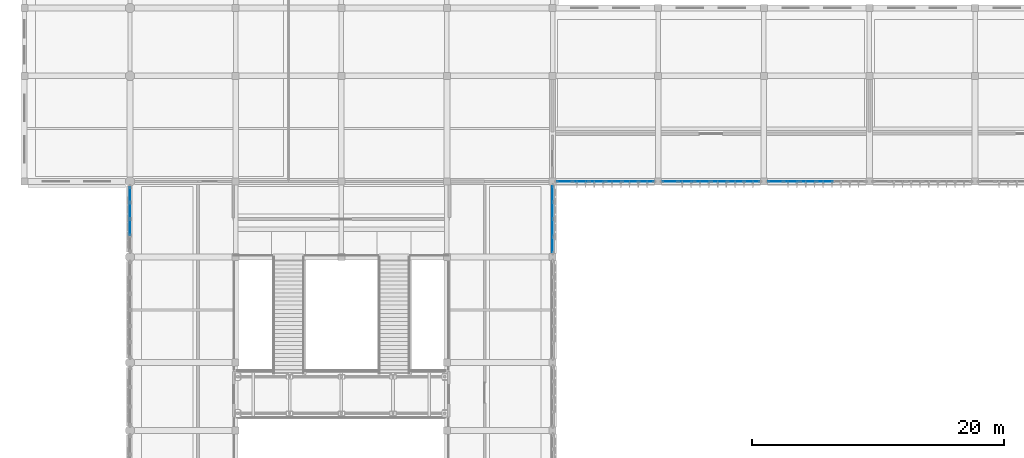
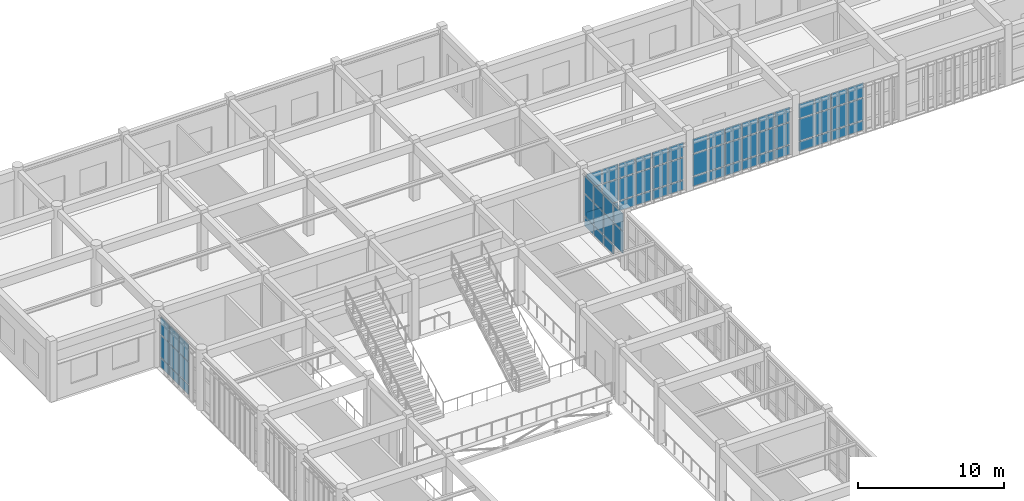
# One storey, part 73 of 106: 68 plates, 5 elements without a shape of their own.
"""IFC4 building model written with IfcOpenShell, lengths in metres."""

from ifc_helpers import new_model, si_unit, direction, frame, origin, origin_2d, place, context, subcontext, project, spatial, rectangle, extrude, material, layer, layer_set, type_object, element, aggregate, save


model = new_model("IFC4")

# Units and contexts
model_context = context("Model", 3, precision=1e-05, world=origin(), true_north=direction((0.0, 1.0)))
body_context = subcontext(model_context, "Body", "Model", "MODEL_VIEW")
ifc_project = project(units=[si_unit("LENGTHUNIT", "METRE"), si_unit("AREAUNIT", "SQUARE_METRE"), si_unit("VOLUMEUNIT", "CUBIC_METRE"), si_unit("PLANEANGLEUNIT", "RADIAN"), si_unit("MASSUNIT", "GRAM", prefix="KILO")], contexts=[model_context])

# Site, building, storey
site_placement = place(None, origin())
site = spatial("IfcSite", under=ifc_project, at=site_placement, CompositionType="ELEMENT")
building_placement = place(site_placement, origin())
building = spatial("IfcBuilding", under=site, at=building_placement, Name="Krzemoval Escarpment Law Courts", CompositionType="ELEMENT")
storey_placement = place(building_placement, frame((0.0, 0.0, 5.10009765625)))
storey = spatial("IfcBuildingStorey", under=building, at=storey_placement, Name="L01", CompositionType="ELEMENT", Elevation=5.10009765625)

# Curtain wall, plates
ifc_material_1 = material(Name="Aluminium 6063-T6", Category="aluminium")
ifc_layer_1 = layer(ifc_material_1, 0.280029296875)
ifc_layer_set_1 = layer_set([ifc_layer_1], Name="Aluminium 6063-T6")
curtain_wall_type = type_object("IfcCurtainWallType", Name="CW-HALL-5100", PredefinedType="USERDEFINED", material=ifc_layer_set_1)
curtain_wall_1_placement = place(storey_placement, origin())
curtain_wall_1 = element("IfcCurtainWall", 1, at=curtain_wall_1_placement, inside=storey, type_object=curtain_wall_type, Name="Unitised Curtain Wall FCW-L01-030", ObjectType="UNITISED_CURTAIN_WALL", PredefinedType="USERDEFINED")
ifc_material_2 = material(Name="Triple Glazing IGU", Category="glass")
ifc_layer_2 = layer(ifc_material_2, 0.053955078125)
ifc_layer_set_2 = layer_set([ifc_layer_2], Name="Triple Glazing IGU")
plate_type = type_object("IfcPlateType", Name="CWP-GLZ-54", PredefinedType="CURTAIN_PANEL", material=ifc_layer_set_2)
plate_1_placement = place(storey_placement, frame((8.39990234375, 95.94384765625, 0.0849609375), z_axis=(0.0, 0.0, 1.0), x_axis=(0.0, 1.0, 0.0)))
plate_1 = element("IfcPlate", 2, at=plate_1_placement, type_object=plate_type, Name="FCW-L01-030 panel 2.1", PredefinedType="CURTAIN_PANEL", context=body_context, shape_type="SweptSolid", body=[
    extrude(rectangle(XDim=1.2275390625, YDim=0.053955078125, at=origin_2d()), origin(), (0.0, 0.0, 1.0), 0.7724609375),
])
plate_2_placement = place(storey_placement, frame((8.39990234375, 95.94384765625, 0.9423828125), z_axis=(0.0, 0.0, 1.0), x_axis=(0.0, 1.0, 0.0)))
plate_2 = element("IfcPlate", 3, at=plate_2_placement, type_object=plate_type, Name="FCW-L01-030 panel 2.2", PredefinedType="CURTAIN_PANEL", context=body_context, shape_type="SweptSolid", body=[
    extrude(rectangle(XDim=1.2275390625, YDim=0.053955078125, at=origin_2d()), origin(), (0.0, 0.0, 1.0), 1.81494140625),
])
plate_3_placement = place(storey_placement, frame((8.39990234375, 95.94384765625, 2.842529296875), z_axis=(0.0, 0.0, 1.0), x_axis=(0.0, 1.0, 0.0)))
plate_3 = element("IfcPlate", 4, at=plate_3_placement, type_object=plate_type, Name="FCW-L01-030 panel 2.3", PredefinedType="CURTAIN_PANEL", context=body_context, shape_type="SweptSolid", body=[
    extrude(rectangle(XDim=1.2275390625, YDim=0.053955078125, at=origin_2d()), origin(), (0.0, 0.0, 1.0), 1.4423828125),
])
plate_4_placement = place(storey_placement, frame((8.39990234375, 97.25634765625, 0.0849609375), z_axis=(0.0, 0.0, 1.0), x_axis=(0.0, 1.0, 0.0)))
plate_4 = element("IfcPlate", 5, at=plate_4_placement, type_object=plate_type, Name="FCW-L01-030 panel 3.1", PredefinedType="CURTAIN_PANEL", context=body_context, shape_type="SweptSolid", body=[
    extrude(rectangle(XDim=1.2275390625, YDim=0.053955078125, at=origin_2d()), origin(), (0.0, 0.0, 1.0), 0.7724609375),
])
plate_5_placement = place(storey_placement, frame((8.39990234375, 97.25634765625, 0.9423828125), z_axis=(0.0, 0.0, 1.0), x_axis=(0.0, 1.0, 0.0)))
plate_5 = element("IfcPlate", 6, at=plate_5_placement, type_object=plate_type, Name="FCW-L01-030 panel 3.2", PredefinedType="CURTAIN_PANEL", context=body_context, shape_type="SweptSolid", body=[
    extrude(rectangle(XDim=1.2275390625, YDim=0.053955078125, at=origin_2d()), origin(), (0.0, 0.0, 1.0), 1.81494140625),
])
plate_6_placement = place(storey_placement, frame((8.39990234375, 97.25634765625, 2.842529296875), z_axis=(0.0, 0.0, 1.0), x_axis=(0.0, 1.0, 0.0)))
plate_6 = element("IfcPlate", 7, at=plate_6_placement, type_object=plate_type, Name="FCW-L01-030 panel 3.3", PredefinedType="CURTAIN_PANEL", context=body_context, shape_type="SweptSolid", body=[
    extrude(rectangle(XDim=1.2275390625, YDim=0.053955078125, at=origin_2d()), origin(), (0.0, 0.0, 1.0), 1.4423828125),
])
plate_7_placement = place(storey_placement, frame((8.39990234375, 98.547607421875, 0.0849609375), z_axis=(0.0, 0.0, 1.0), x_axis=(0.0, 1.0, 0.0)))
plate_7 = element("IfcPlate", 8, at=plate_7_placement, type_object=plate_type, Name="FCW-L01-030 panel 4.1", PredefinedType="CURTAIN_PANEL", context=body_context, shape_type="SweptSolid", body=[
    extrude(rectangle(XDim=1.18505859375, YDim=0.053955078125, at=origin_2d()), origin(), (0.0, 0.0, 1.0), 0.7724609375),
])
plate_8_placement = place(storey_placement, frame((8.39990234375, 98.547607421875, 0.9423828125), z_axis=(0.0, 0.0, 1.0), x_axis=(0.0, 1.0, 0.0)))
plate_8 = element("IfcPlate", 9, at=plate_8_placement, type_object=plate_type, Name="FCW-L01-030 panel 4.2", PredefinedType="CURTAIN_PANEL", context=body_context, shape_type="SweptSolid", body=[
    extrude(rectangle(XDim=1.18505859375, YDim=0.053955078125, at=origin_2d()), origin(), (0.0, 0.0, 1.0), 1.81494140625),
])
plate_9_placement = place(storey_placement, frame((8.39990234375, 98.547607421875, 2.842529296875), z_axis=(0.0, 0.0, 1.0), x_axis=(0.0, 1.0, 0.0)))
plate_9 = element("IfcPlate", 10, at=plate_9_placement, type_object=plate_type, Name="FCW-L01-030 panel 4.3", PredefinedType="CURTAIN_PANEL", context=body_context, shape_type="SweptSolid", body=[
    extrude(rectangle(XDim=1.18505859375, YDim=0.053955078125, at=origin_2d()), origin(), (0.0, 0.0, 1.0), 1.4423828125),
])
aggregate(curtain_wall_1, [plate_1, plate_2, plate_3, plate_4, plate_5, plate_6, plate_7, plate_8, plate_9])

curtain_wall_2_placement = place(storey_placement, origin())
curtain_wall_2 = element("IfcCurtainWall", 11, at=curtain_wall_2_placement, inside=storey, type_object=curtain_wall_type, Name="Unitised Curtain Wall FCW-L01-053", ObjectType="UNITISED_CURTAIN_WALL", PredefinedType="USERDEFINED")
plate_10_placement = place(storey_placement, frame((63.654052734375, 99.60009765625, 0.0849609375), z_axis=(0.0, 0.0, 1.0), x_axis=(-1.0, 0.0, 0.0)))
plate_10 = element("IfcPlate", 12, at=plate_10_placement, type_object=plate_type, Name="FCW-L01-053 panel 3.1", PredefinedType="CURTAIN_PANEL", context=body_context, shape_type="SweptSolid", body=[
    extrude(rectangle(XDim=1.223388671875, YDim=0.053955078125, at=origin_2d()), origin(), (0.0, 0.0, 1.0), 0.7724609375),
])
plate_11_placement = place(storey_placement, frame((63.654052734375, 99.60009765625, 0.9423828125), z_axis=(0.0, 0.0, 1.0), x_axis=(-1.0, 0.0, 0.0)))
plate_11 = element("IfcPlate", 13, at=plate_11_placement, type_object=plate_type, Name="FCW-L01-053 panel 3.2", PredefinedType="CURTAIN_PANEL", context=body_context, shape_type="SweptSolid", body=[
    extrude(rectangle(XDim=1.223388671875, YDim=0.053955078125, at=origin_2d()), origin(), (0.0, 0.0, 1.0), 1.81494140625),
])
plate_12_placement = place(storey_placement, frame((63.654052734375, 99.60009765625, 2.842529296875), z_axis=(0.0, 0.0, 1.0), x_axis=(-1.0, 0.0, 0.0)))
plate_12 = element("IfcPlate", 14, at=plate_12_placement, type_object=plate_type, Name="FCW-L01-053 panel 3.3", PredefinedType="CURTAIN_PANEL", context=body_context, shape_type="SweptSolid", body=[
    extrude(rectangle(XDim=1.223388671875, YDim=0.053955078125, at=origin_2d()), origin(), (0.0, 0.0, 1.0), 1.1923828125),
])
plate_13_placement = place(storey_placement, frame((62.345947265625, 99.60009765625, 0.0849609375), z_axis=(0.0, 0.0, 1.0), x_axis=(-1.0, 0.0, 0.0)))
plate_13 = element("IfcPlate", 15, at=plate_13_placement, type_object=plate_type, Name="FCW-L01-053 panel 4.1", PredefinedType="CURTAIN_PANEL", context=body_context, shape_type="SweptSolid", body=[
    extrude(rectangle(XDim=1.223388671875, YDim=0.053955078125, at=origin_2d()), origin(), (0.0, 0.0, 1.0), 0.7724609375),
])
plate_14_placement = place(storey_placement, frame((62.345947265625, 99.60009765625, 0.9423828125), z_axis=(0.0, 0.0, 1.0), x_axis=(-1.0, 0.0, 0.0)))
plate_14 = element("IfcPlate", 16, at=plate_14_placement, type_object=plate_type, Name="FCW-L01-053 panel 4.2", PredefinedType="CURTAIN_PANEL", context=body_context, shape_type="SweptSolid", body=[
    extrude(rectangle(XDim=1.223388671875, YDim=0.053955078125, at=origin_2d()), origin(), (0.0, 0.0, 1.0), 1.81494140625),
])
plate_15_placement = place(storey_placement, frame((62.345947265625, 99.60009765625, 2.842529296875), z_axis=(0.0, 0.0, 1.0), x_axis=(-1.0, 0.0, 0.0)))
plate_15 = element("IfcPlate", 17, at=plate_15_placement, type_object=plate_type, Name="FCW-L01-053 panel 4.3", PredefinedType="CURTAIN_PANEL", context=body_context, shape_type="SweptSolid", body=[
    extrude(rectangle(XDim=1.223388671875, YDim=0.053955078125, at=origin_2d()), origin(), (0.0, 0.0, 1.0), 1.1923828125),
])
plate_16_placement = place(storey_placement, frame((61.03759765625, 99.60009765625, 0.0849609375), z_axis=(0.0, 0.0, 1.0), x_axis=(-1.0, 0.0, 0.0)))
plate_16 = element("IfcPlate", 18, at=plate_16_placement, type_object=plate_type, Name="FCW-L01-053 panel 5.1", PredefinedType="CURTAIN_PANEL", context=body_context, shape_type="SweptSolid", body=[
    extrude(rectangle(XDim=1.223388671875, YDim=0.053955078125, at=origin_2d()), origin(), (0.0, 0.0, 1.0), 0.7724609375),
])
plate_17_placement = place(storey_placement, frame((61.03759765625, 99.60009765625, 0.9423828125), z_axis=(0.0, 0.0, 1.0), x_axis=(-1.0, 0.0, 0.0)))
plate_17 = element("IfcPlate", 19, at=plate_17_placement, type_object=plate_type, Name="FCW-L01-053 panel 5.2", PredefinedType="CURTAIN_PANEL", context=body_context, shape_type="SweptSolid", body=[
    extrude(rectangle(XDim=1.223388671875, YDim=0.053955078125, at=origin_2d()), origin(), (0.0, 0.0, 1.0), 1.81494140625),
])
plate_18_placement = place(storey_placement, frame((61.03759765625, 99.60009765625, 2.842529296875), z_axis=(0.0, 0.0, 1.0), x_axis=(-1.0, 0.0, 0.0)))
plate_18 = element("IfcPlate", 20, at=plate_18_placement, type_object=plate_type, Name="FCW-L01-053 panel 5.3", PredefinedType="CURTAIN_PANEL", context=body_context, shape_type="SweptSolid", body=[
    extrude(rectangle(XDim=1.223388671875, YDim=0.053955078125, at=origin_2d()), origin(), (0.0, 0.0, 1.0), 1.1923828125),
])
plate_19_placement = place(storey_placement, frame((59.75048828125, 99.60009765625, 0.0849609375), z_axis=(0.0, 0.0, 1.0), x_axis=(-1.0, 0.0, 0.0)))
plate_19 = element("IfcPlate", 21, at=plate_19_placement, type_object=plate_type, Name="FCW-L01-053 panel 6.1", PredefinedType="CURTAIN_PANEL", context=body_context, shape_type="SweptSolid", body=[
    extrude(rectangle(XDim=1.180908203125, YDim=0.053955078125, at=origin_2d()), origin(), (0.0, 0.0, 1.0), 0.7724609375),
])
plate_20_placement = place(storey_placement, frame((59.75048828125, 99.60009765625, 0.9423828125), z_axis=(0.0, 0.0, 1.0), x_axis=(-1.0, 0.0, 0.0)))
plate_20 = element("IfcPlate", 22, at=plate_20_placement, type_object=plate_type, Name="FCW-L01-053 panel 6.2", PredefinedType="CURTAIN_PANEL", context=body_context, shape_type="SweptSolid", body=[
    extrude(rectangle(XDim=1.180908203125, YDim=0.053955078125, at=origin_2d()), origin(), (0.0, 0.0, 1.0), 1.81494140625),
])
plate_21_placement = place(storey_placement, frame((59.75048828125, 99.60009765625, 2.842529296875), z_axis=(0.0, 0.0, 1.0), x_axis=(-1.0, 0.0, 0.0)))
plate_21 = element("IfcPlate", 23, at=plate_21_placement, type_object=plate_type, Name="FCW-L01-053 panel 6.3", PredefinedType="CURTAIN_PANEL", context=body_context, shape_type="SweptSolid", body=[
    extrude(rectangle(XDim=1.180908203125, YDim=0.053955078125, at=origin_2d()), origin(), (0.0, 0.0, 1.0), 1.1923828125),
])
aggregate(curtain_wall_2, [plate_10, plate_11, plate_12, plate_13, plate_14, plate_15, plate_16, plate_17, plate_18, plate_19, plate_20, plate_21])

curtain_wall_3_placement = place(storey_placement, origin())
curtain_wall_3 = element("IfcCurtainWall", 24, at=curtain_wall_3_placement, inside=storey, type_object=curtain_wall_type, Name="Unitised Curtain Wall FCW-L01-054", ObjectType="UNITISED_CURTAIN_WALL", PredefinedType="USERDEFINED")
plate_22_placement = place(storey_placement, frame((57.849609375, 99.60009765625, 0.0849609375), z_axis=(0.0, 0.0, 1.0), x_axis=(-1.0, 0.0, 0.0)))
plate_22 = element("IfcPlate", 25, at=plate_22_placement, type_object=plate_type, Name="FCW-L01-054 panel 1.1", PredefinedType="CURTAIN_PANEL", context=body_context, shape_type="SweptSolid", body=[
    extrude(rectangle(XDim=1.180908203125, YDim=0.053955078125, at=origin_2d()), origin(), (0.0, 0.0, 1.0), 0.7724609375),
])
plate_23_placement = place(storey_placement, frame((57.849609375, 99.60009765625, 0.9423828125), z_axis=(0.0, 0.0, 1.0), x_axis=(-1.0, 0.0, 0.0)))
plate_23 = element("IfcPlate", 26, at=plate_23_placement, type_object=plate_type, Name="FCW-L01-054 panel 1.2", PredefinedType="CURTAIN_PANEL", context=body_context, shape_type="SweptSolid", body=[
    extrude(rectangle(XDim=1.180908203125, YDim=0.053955078125, at=origin_2d()), origin(), (0.0, 0.0, 1.0), 1.81494140625),
])
plate_24_placement = place(storey_placement, frame((57.849609375, 99.60009765625, 2.842529296875), z_axis=(0.0, 0.0, 1.0), x_axis=(-1.0, 0.0, 0.0)))
plate_24 = element("IfcPlate", 27, at=plate_24_placement, type_object=plate_type, Name="FCW-L01-054 panel 1.3", PredefinedType="CURTAIN_PANEL", context=body_context, shape_type="SweptSolid", body=[
    extrude(rectangle(XDim=1.180908203125, YDim=0.053955078125, at=origin_2d()), origin(), (0.0, 0.0, 1.0), 1.1923828125),
])
plate_25_placement = place(storey_placement, frame((56.5625, 99.60009765625, 0.0849609375), z_axis=(0.0, 0.0, 1.0), x_axis=(-1.0, 0.0, 0.0)))
plate_25 = element("IfcPlate", 28, at=plate_25_placement, type_object=plate_type, Name="FCW-L01-054 panel 2.1", PredefinedType="CURTAIN_PANEL", context=body_context, shape_type="SweptSolid", body=[
    extrude(rectangle(XDim=1.223388671875, YDim=0.053955078125, at=origin_2d()), origin(), (0.0, 0.0, 1.0), 0.7724609375),
])
plate_26_placement = place(storey_placement, frame((56.5625, 99.60009765625, 0.9423828125), z_axis=(0.0, 0.0, 1.0), x_axis=(-1.0, 0.0, 0.0)))
plate_26 = element("IfcPlate", 29, at=plate_26_placement, type_object=plate_type, Name="FCW-L01-054 panel 2.2", PredefinedType="CURTAIN_PANEL", context=body_context, shape_type="SweptSolid", body=[
    extrude(rectangle(XDim=1.223388671875, YDim=0.053955078125, at=origin_2d()), origin(), (0.0, 0.0, 1.0), 1.81494140625),
])
plate_27_placement = place(storey_placement, frame((56.5625, 99.60009765625, 2.842529296875), z_axis=(0.0, 0.0, 1.0), x_axis=(-1.0, 0.0, 0.0)))
plate_27 = element("IfcPlate", 30, at=plate_27_placement, type_object=plate_type, Name="FCW-L01-054 panel 2.3", PredefinedType="CURTAIN_PANEL", context=body_context, shape_type="SweptSolid", body=[
    extrude(rectangle(XDim=1.223388671875, YDim=0.053955078125, at=origin_2d()), origin(), (0.0, 0.0, 1.0), 1.1923828125),
])
plate_28_placement = place(storey_placement, frame((55.254150390625, 99.60009765625, 0.0849609375), z_axis=(0.0, 0.0, 1.0), x_axis=(-1.0, 0.0, 0.0)))
plate_28 = element("IfcPlate", 31, at=plate_28_placement, type_object=plate_type, Name="FCW-L01-054 panel 3.1", PredefinedType="CURTAIN_PANEL", context=body_context, shape_type="SweptSolid", body=[
    extrude(rectangle(XDim=1.223388671875, YDim=0.053955078125, at=origin_2d()), origin(), (0.0, 0.0, 1.0), 0.7724609375),
])
plate_29_placement = place(storey_placement, frame((55.254150390625, 99.60009765625, 0.9423828125), z_axis=(0.0, 0.0, 1.0), x_axis=(-1.0, 0.0, 0.0)))
plate_29 = element("IfcPlate", 32, at=plate_29_placement, type_object=plate_type, Name="FCW-L01-054 panel 3.2", PredefinedType="CURTAIN_PANEL", context=body_context, shape_type="SweptSolid", body=[
    extrude(rectangle(XDim=1.223388671875, YDim=0.053955078125, at=origin_2d()), origin(), (0.0, 0.0, 1.0), 1.81494140625),
])
plate_30_placement = place(storey_placement, frame((55.254150390625, 99.60009765625, 2.842529296875), z_axis=(0.0, 0.0, 1.0), x_axis=(-1.0, 0.0, 0.0)))
plate_30 = element("IfcPlate", 33, at=plate_30_placement, type_object=plate_type, Name="FCW-L01-054 panel 3.3", PredefinedType="CURTAIN_PANEL", context=body_context, shape_type="SweptSolid", body=[
    extrude(rectangle(XDim=1.223388671875, YDim=0.053955078125, at=origin_2d()), origin(), (0.0, 0.0, 1.0), 1.1923828125),
])
plate_31_placement = place(storey_placement, frame((53.94580078125, 99.60009765625, 0.0849609375), z_axis=(0.0, 0.0, 1.0), x_axis=(-1.0, 0.0, 0.0)))
plate_31 = element("IfcPlate", 34, at=plate_31_placement, type_object=plate_type, Name="FCW-L01-054 panel 4.1", PredefinedType="CURTAIN_PANEL", context=body_context, shape_type="SweptSolid", body=[
    extrude(rectangle(XDim=1.223388671875, YDim=0.053955078125, at=origin_2d()), origin(), (0.0, 0.0, 1.0), 0.7724609375),
])
plate_32_placement = place(storey_placement, frame((53.94580078125, 99.60009765625, 0.9423828125), z_axis=(0.0, 0.0, 1.0), x_axis=(-1.0, 0.0, 0.0)))
plate_32 = element("IfcPlate", 35, at=plate_32_placement, type_object=plate_type, Name="FCW-L01-054 panel 4.2", PredefinedType="CURTAIN_PANEL", context=body_context, shape_type="SweptSolid", body=[
    extrude(rectangle(XDim=1.223388671875, YDim=0.053955078125, at=origin_2d()), origin(), (0.0, 0.0, 1.0), 1.81494140625),
])
plate_33_placement = place(storey_placement, frame((53.94580078125, 99.60009765625, 2.842529296875), z_axis=(0.0, 0.0, 1.0), x_axis=(-1.0, 0.0, 0.0)))
plate_33 = element("IfcPlate", 36, at=plate_33_placement, type_object=plate_type, Name="FCW-L01-054 panel 4.3", PredefinedType="CURTAIN_PANEL", context=body_context, shape_type="SweptSolid", body=[
    extrude(rectangle(XDim=1.223388671875, YDim=0.053955078125, at=origin_2d()), origin(), (0.0, 0.0, 1.0), 1.1923828125),
])
plate_34_placement = place(storey_placement, frame((52.637451171875, 99.60009765625, 0.0849609375), z_axis=(0.0, 0.0, 1.0), x_axis=(-1.0, 0.0, 0.0)))
plate_34 = element("IfcPlate", 37, at=plate_34_placement, type_object=plate_type, Name="FCW-L01-054 panel 5.1", PredefinedType="CURTAIN_PANEL", context=body_context, shape_type="SweptSolid", body=[
    extrude(rectangle(XDim=1.223388671875, YDim=0.053955078125, at=origin_2d()), origin(), (0.0, 0.0, 1.0), 0.7724609375),
])
plate_35_placement = place(storey_placement, frame((52.637451171875, 99.60009765625, 0.9423828125), z_axis=(0.0, 0.0, 1.0), x_axis=(-1.0, 0.0, 0.0)))
plate_35 = element("IfcPlate", 38, at=plate_35_placement, type_object=plate_type, Name="FCW-L01-054 panel 5.2", PredefinedType="CURTAIN_PANEL", context=body_context, shape_type="SweptSolid", body=[
    extrude(rectangle(XDim=1.223388671875, YDim=0.053955078125, at=origin_2d()), origin(), (0.0, 0.0, 1.0), 1.81494140625),
])
plate_36_placement = place(storey_placement, frame((52.637451171875, 99.60009765625, 2.842529296875), z_axis=(0.0, 0.0, 1.0), x_axis=(-1.0, 0.0, 0.0)))
plate_36 = element("IfcPlate", 39, at=plate_36_placement, type_object=plate_type, Name="FCW-L01-054 panel 5.3", PredefinedType="CURTAIN_PANEL", context=body_context, shape_type="SweptSolid", body=[
    extrude(rectangle(XDim=1.223388671875, YDim=0.053955078125, at=origin_2d()), origin(), (0.0, 0.0, 1.0), 1.1923828125),
])
plate_37_placement = place(storey_placement, frame((51.350341796875, 99.60009765625, 0.0849609375), z_axis=(0.0, 0.0, 1.0), x_axis=(-1.0, 0.0, 0.0)))
plate_37 = element("IfcPlate", 40, at=plate_37_placement, type_object=plate_type, Name="FCW-L01-054 panel 6.1", PredefinedType="CURTAIN_PANEL", context=body_context, shape_type="SweptSolid", body=[
    extrude(rectangle(XDim=1.180908203125, YDim=0.053955078125, at=origin_2d()), origin(), (0.0, 0.0, 1.0), 0.7724609375),
])
plate_38_placement = place(storey_placement, frame((51.350341796875, 99.60009765625, 0.9423828125), z_axis=(0.0, 0.0, 1.0), x_axis=(-1.0, 0.0, 0.0)))
plate_38 = element("IfcPlate", 41, at=plate_38_placement, type_object=plate_type, Name="FCW-L01-054 panel 6.2", PredefinedType="CURTAIN_PANEL", context=body_context, shape_type="SweptSolid", body=[
    extrude(rectangle(XDim=1.180908203125, YDim=0.053955078125, at=origin_2d()), origin(), (0.0, 0.0, 1.0), 1.81494140625),
])
plate_39_placement = place(storey_placement, frame((51.350341796875, 99.60009765625, 2.842529296875), z_axis=(0.0, 0.0, 1.0), x_axis=(-1.0, 0.0, 0.0)))
plate_39 = element("IfcPlate", 42, at=plate_39_placement, type_object=plate_type, Name="FCW-L01-054 panel 6.3", PredefinedType="CURTAIN_PANEL", context=body_context, shape_type="SweptSolid", body=[
    extrude(rectangle(XDim=1.180908203125, YDim=0.053955078125, at=origin_2d()), origin(), (0.0, 0.0, 1.0), 1.1923828125),
])
aggregate(curtain_wall_3, [plate_22, plate_23, plate_24, plate_25, plate_26, plate_27, plate_28, plate_29, plate_30, plate_31, plate_32, plate_33, plate_34, plate_35, plate_36, plate_37, plate_38, plate_39])

curtain_wall_4_placement = place(storey_placement, origin())
curtain_wall_4 = element("IfcCurtainWall", 43, at=curtain_wall_4_placement, inside=storey, type_object=curtain_wall_type, Name="Unitised Curtain Wall FCW-L01-055", ObjectType="UNITISED_CURTAIN_WALL", PredefinedType="USERDEFINED")
plate_40_placement = place(storey_placement, frame((49.449462890625, 99.60009765625, 0.0849609375), z_axis=(0.0, 0.0, 1.0), x_axis=(-1.0, 0.0, 0.0)))
plate_40 = element("IfcPlate", 44, at=plate_40_placement, type_object=plate_type, Name="FCW-L01-055 panel 1.1", PredefinedType="CURTAIN_PANEL", context=body_context, shape_type="SweptSolid", body=[
    extrude(rectangle(XDim=1.180908203125, YDim=0.053955078125, at=origin_2d()), origin(), (0.0, 0.0, 1.0), 0.7724609375),
])
plate_41_placement = place(storey_placement, frame((49.449462890625, 99.60009765625, 0.9423828125), z_axis=(0.0, 0.0, 1.0), x_axis=(-1.0, 0.0, 0.0)))
plate_41 = element("IfcPlate", 45, at=plate_41_placement, type_object=plate_type, Name="FCW-L01-055 panel 1.2", PredefinedType="CURTAIN_PANEL", context=body_context, shape_type="SweptSolid", body=[
    extrude(rectangle(XDim=1.180908203125, YDim=0.053955078125, at=origin_2d()), origin(), (0.0, 0.0, 1.0), 1.81494140625),
])
plate_42_placement = place(storey_placement, frame((49.449462890625, 99.60009765625, 2.842529296875), z_axis=(0.0, 0.0, 1.0), x_axis=(-1.0, 0.0, 0.0)))
plate_42 = element("IfcPlate", 46, at=plate_42_placement, type_object=plate_type, Name="FCW-L01-055 panel 1.3", PredefinedType="CURTAIN_PANEL", context=body_context, shape_type="SweptSolid", body=[
    extrude(rectangle(XDim=1.180908203125, YDim=0.053955078125, at=origin_2d()), origin(), (0.0, 0.0, 1.0), 1.1923828125),
])
plate_43_placement = place(storey_placement, frame((48.16259765625, 99.60009765625, 0.0849609375), z_axis=(0.0, 0.0, 1.0), x_axis=(-1.0, 0.0, 0.0)))
plate_43 = element("IfcPlate", 47, at=plate_43_placement, type_object=plate_type, Name="FCW-L01-055 panel 2.1", PredefinedType="CURTAIN_PANEL", context=body_context, shape_type="SweptSolid", body=[
    extrude(rectangle(XDim=1.223388671875, YDim=0.053955078125, at=origin_2d()), origin(), (0.0, 0.0, 1.0), 0.7724609375),
])
plate_44_placement = place(storey_placement, frame((48.16259765625, 99.60009765625, 0.9423828125), z_axis=(0.0, 0.0, 1.0), x_axis=(-1.0, 0.0, 0.0)))
plate_44 = element("IfcPlate", 48, at=plate_44_placement, type_object=plate_type, Name="FCW-L01-055 panel 2.2", PredefinedType="CURTAIN_PANEL", context=body_context, shape_type="SweptSolid", body=[
    extrude(rectangle(XDim=1.223388671875, YDim=0.053955078125, at=origin_2d()), origin(), (0.0, 0.0, 1.0), 1.81494140625),
])
plate_45_placement = place(storey_placement, frame((48.16259765625, 99.60009765625, 2.842529296875), z_axis=(0.0, 0.0, 1.0), x_axis=(-1.0, 0.0, 0.0)))
plate_45 = element("IfcPlate", 49, at=plate_45_placement, type_object=plate_type, Name="FCW-L01-055 panel 2.3", PredefinedType="CURTAIN_PANEL", context=body_context, shape_type="SweptSolid", body=[
    extrude(rectangle(XDim=1.223388671875, YDim=0.053955078125, at=origin_2d()), origin(), (0.0, 0.0, 1.0), 1.1923828125),
])
plate_46_placement = place(storey_placement, frame((46.854248046875, 99.60009765625, 0.0849609375), z_axis=(0.0, 0.0, 1.0), x_axis=(-1.0, 0.0, 0.0)))
plate_46 = element("IfcPlate", 50, at=plate_46_placement, type_object=plate_type, Name="FCW-L01-055 panel 3.1", PredefinedType="CURTAIN_PANEL", context=body_context, shape_type="SweptSolid", body=[
    extrude(rectangle(XDim=1.223388671875, YDim=0.053955078125, at=origin_2d()), origin(), (0.0, 0.0, 1.0), 0.7724609375),
])
plate_47_placement = place(storey_placement, frame((46.854248046875, 99.60009765625, 0.9423828125), z_axis=(0.0, 0.0, 1.0), x_axis=(-1.0, 0.0, 0.0)))
plate_47 = element("IfcPlate", 51, at=plate_47_placement, type_object=plate_type, Name="FCW-L01-055 panel 3.2", PredefinedType="CURTAIN_PANEL", context=body_context, shape_type="SweptSolid", body=[
    extrude(rectangle(XDim=1.223388671875, YDim=0.053955078125, at=origin_2d()), origin(), (0.0, 0.0, 1.0), 1.81494140625),
])
plate_48_placement = place(storey_placement, frame((46.854248046875, 99.60009765625, 2.842529296875), z_axis=(0.0, 0.0, 1.0), x_axis=(-1.0, 0.0, 0.0)))
plate_48 = element("IfcPlate", 52, at=plate_48_placement, type_object=plate_type, Name="FCW-L01-055 panel 3.3", PredefinedType="CURTAIN_PANEL", context=body_context, shape_type="SweptSolid", body=[
    extrude(rectangle(XDim=1.223388671875, YDim=0.053955078125, at=origin_2d()), origin(), (0.0, 0.0, 1.0), 1.1923828125),
])
plate_49_placement = place(storey_placement, frame((45.5458984375, 99.60009765625, 0.0849609375), z_axis=(0.0, 0.0, 1.0), x_axis=(-1.0, 0.0, 0.0)))
plate_49 = element("IfcPlate", 53, at=plate_49_placement, type_object=plate_type, Name="FCW-L01-055 panel 4.1", PredefinedType="CURTAIN_PANEL", context=body_context, shape_type="SweptSolid", body=[
    extrude(rectangle(XDim=1.223388671875, YDim=0.053955078125, at=origin_2d()), origin(), (0.0, 0.0, 1.0), 0.7724609375),
])
plate_50_placement = place(storey_placement, frame((45.5458984375, 99.60009765625, 0.9423828125), z_axis=(0.0, 0.0, 1.0), x_axis=(-1.0, 0.0, 0.0)))
plate_50 = element("IfcPlate", 54, at=plate_50_placement, type_object=plate_type, Name="FCW-L01-055 panel 4.2", PredefinedType="CURTAIN_PANEL", context=body_context, shape_type="SweptSolid", body=[
    extrude(rectangle(XDim=1.223388671875, YDim=0.053955078125, at=origin_2d()), origin(), (0.0, 0.0, 1.0), 1.81494140625),
])
plate_51_placement = place(storey_placement, frame((45.5458984375, 99.60009765625, 2.842529296875), z_axis=(0.0, 0.0, 1.0), x_axis=(-1.0, 0.0, 0.0)))
plate_51 = element("IfcPlate", 55, at=plate_51_placement, type_object=plate_type, Name="FCW-L01-055 panel 4.3", PredefinedType="CURTAIN_PANEL", context=body_context, shape_type="SweptSolid", body=[
    extrude(rectangle(XDim=1.223388671875, YDim=0.053955078125, at=origin_2d()), origin(), (0.0, 0.0, 1.0), 1.1923828125),
])
plate_52_placement = place(storey_placement, frame((44.237548828125, 99.60009765625, 0.0849609375), z_axis=(0.0, 0.0, 1.0), x_axis=(-1.0, 0.0, 0.0)))
plate_52 = element("IfcPlate", 56, at=plate_52_placement, type_object=plate_type, Name="FCW-L01-055 panel 5.1", PredefinedType="CURTAIN_PANEL", context=body_context, shape_type="SweptSolid", body=[
    extrude(rectangle(XDim=1.223388671875, YDim=0.053955078125, at=origin_2d()), origin(), (0.0, 0.0, 1.0), 0.7724609375),
])
plate_53_placement = place(storey_placement, frame((44.237548828125, 99.60009765625, 0.9423828125), z_axis=(0.0, 0.0, 1.0), x_axis=(-1.0, 0.0, 0.0)))
plate_53 = element("IfcPlate", 57, at=plate_53_placement, type_object=plate_type, Name="FCW-L01-055 panel 5.2", PredefinedType="CURTAIN_PANEL", context=body_context, shape_type="SweptSolid", body=[
    extrude(rectangle(XDim=1.223388671875, YDim=0.053955078125, at=origin_2d()), origin(), (0.0, 0.0, 1.0), 1.81494140625),
])
plate_54_placement = place(storey_placement, frame((44.237548828125, 99.60009765625, 2.842529296875), z_axis=(0.0, 0.0, 1.0), x_axis=(-1.0, 0.0, 0.0)))
plate_54 = element("IfcPlate", 58, at=plate_54_placement, type_object=plate_type, Name="FCW-L01-055 panel 5.3", PredefinedType="CURTAIN_PANEL", context=body_context, shape_type="SweptSolid", body=[
    extrude(rectangle(XDim=1.223388671875, YDim=0.053955078125, at=origin_2d()), origin(), (0.0, 0.0, 1.0), 1.1923828125),
])
plate_55_placement = place(storey_placement, frame((42.950439453125, 99.60009765625, 0.0849609375), z_axis=(0.0, 0.0, 1.0), x_axis=(-1.0, 0.0, 0.0)))
plate_55 = element("IfcPlate", 59, at=plate_55_placement, type_object=plate_type, Name="FCW-L01-055 panel 6.1", PredefinedType="CURTAIN_PANEL", context=body_context, shape_type="SweptSolid", body=[
    extrude(rectangle(XDim=1.180908203125, YDim=0.053955078125, at=origin_2d()), origin(), (0.0, 0.0, 1.0), 0.7724609375),
])
plate_56_placement = place(storey_placement, frame((42.950439453125, 99.60009765625, 0.9423828125), z_axis=(0.0, 0.0, 1.0), x_axis=(-1.0, 0.0, 0.0)))
plate_56 = element("IfcPlate", 60, at=plate_56_placement, type_object=plate_type, Name="FCW-L01-055 panel 6.2", PredefinedType="CURTAIN_PANEL", context=body_context, shape_type="SweptSolid", body=[
    extrude(rectangle(XDim=1.180908203125, YDim=0.053955078125, at=origin_2d()), origin(), (0.0, 0.0, 1.0), 1.81494140625),
])
plate_57_placement = place(storey_placement, frame((42.950439453125, 99.60009765625, 2.842529296875), z_axis=(0.0, 0.0, 1.0), x_axis=(-1.0, 0.0, 0.0)))
plate_57 = element("IfcPlate", 61, at=plate_57_placement, type_object=plate_type, Name="FCW-L01-055 panel 6.3", PredefinedType="CURTAIN_PANEL", context=body_context, shape_type="SweptSolid", body=[
    extrude(rectangle(XDim=1.180908203125, YDim=0.053955078125, at=origin_2d()), origin(), (0.0, 0.0, 1.0), 1.1923828125),
])
aggregate(curtain_wall_4, [plate_40, plate_41, plate_42, plate_43, plate_44, plate_45, plate_46, plate_47, plate_48, plate_49, plate_50, plate_51, plate_52, plate_53, plate_54, plate_55, plate_56, plate_57])

curtain_wall_5_placement = place(storey_placement, origin())
curtain_wall_5 = element("IfcCurtainWall", 62, at=curtain_wall_5_placement, inside=storey, type_object=curtain_wall_type, Name="Unitised Curtain Wall FCW-L01-056", ObjectType="UNITISED_CURTAIN_WALL", PredefinedType="USERDEFINED")
plate_58_placement = place(storey_placement, frame((42.0, 98.62255859375, 0.0849609375), z_axis=(0.0, 0.0, 1.0), x_axis=(0.0, -1.0, 0.0)))
plate_58 = element("IfcPlate", 63, at=plate_58_placement, type_object=plate_type, Name="FCW-L01-056 panel 1.1", PredefinedType="CURTAIN_PANEL", context=body_context, shape_type="SweptSolid", body=[
    extrude(rectangle(XDim=1.235107421875, YDim=0.053955078125, at=origin_2d()), origin(), (0.0, 0.0, 1.0), 0.7724609375),
])
plate_59_placement = place(storey_placement, frame((42.0, 98.62255859375, 0.9423828125), z_axis=(0.0, 0.0, 1.0), x_axis=(0.0, -1.0, 0.0)))
plate_59 = element("IfcPlate", 64, at=plate_59_placement, type_object=plate_type, Name="FCW-L01-056 panel 1.2", PredefinedType="CURTAIN_PANEL", context=body_context, shape_type="SweptSolid", body=[
    extrude(rectangle(XDim=1.235107421875, YDim=0.053955078125, at=origin_2d()), origin(), (0.0, 0.0, 1.0), 1.81494140625),
])
plate_60_placement = place(storey_placement, frame((42.0, 98.62255859375, 2.842529296875), z_axis=(0.0, 0.0, 1.0), x_axis=(0.0, -1.0, 0.0)))
plate_60 = element("IfcPlate", 65, at=plate_60_placement, type_object=plate_type, Name="FCW-L01-056 panel 1.3", PredefinedType="CURTAIN_PANEL", context=body_context, shape_type="SweptSolid", body=[
    extrude(rectangle(XDim=1.235107421875, YDim=0.053955078125, at=origin_2d()), origin(), (0.0, 0.0, 1.0), 1.4423828125),
])
plate_61_placement = place(storey_placement, frame((42.0, 97.28125, 0.0849609375), z_axis=(0.0, 0.0, 1.0), x_axis=(0.0, -1.0, 0.0)))
plate_61 = element("IfcPlate", 66, at=plate_61_placement, type_object=plate_type, Name="FCW-L01-056 panel 2.1", PredefinedType="CURTAIN_PANEL", context=body_context, shape_type="SweptSolid", body=[
    extrude(rectangle(XDim=1.277587890625, YDim=0.053955078125, at=origin_2d()), origin(), (0.0, 0.0, 1.0), 0.7724609375),
])
plate_62_placement = place(storey_placement, frame((42.0, 97.28125, 0.9423828125), z_axis=(0.0, 0.0, 1.0), x_axis=(0.0, -1.0, 0.0)))
plate_62 = element("IfcPlate", 67, at=plate_62_placement, type_object=plate_type, Name="FCW-L01-056 panel 2.2", PredefinedType="CURTAIN_PANEL", context=body_context, shape_type="SweptSolid", body=[
    extrude(rectangle(XDim=1.277587890625, YDim=0.053955078125, at=origin_2d()), origin(), (0.0, 0.0, 1.0), 1.81494140625),
])
plate_63_placement = place(storey_placement, frame((42.0, 97.28125, 2.842529296875), z_axis=(0.0, 0.0, 1.0), x_axis=(0.0, -1.0, 0.0)))
plate_63 = element("IfcPlate", 68, at=plate_63_placement, type_object=plate_type, Name="FCW-L01-056 panel 2.3", PredefinedType="CURTAIN_PANEL", context=body_context, shape_type="SweptSolid", body=[
    extrude(rectangle(XDim=1.277587890625, YDim=0.053955078125, at=origin_2d()), origin(), (0.0, 0.0, 1.0), 1.4423828125),
])
plate_64_placement = place(storey_placement, frame((42.0, 95.918701171875, 0.0849609375), z_axis=(0.0, 0.0, 1.0), x_axis=(0.0, -1.0, 0.0)))
plate_64 = element("IfcPlate", 69, at=plate_64_placement, type_object=plate_type, Name="FCW-L01-056 panel 3.1", PredefinedType="CURTAIN_PANEL", context=body_context, shape_type="SweptSolid", body=[
    extrude(rectangle(XDim=1.277587890625, YDim=0.053955078125, at=origin_2d()), origin(), (0.0, 0.0, 1.0), 0.7724609375),
])
plate_65_placement = place(storey_placement, frame((42.0, 95.918701171875, 0.9423828125), z_axis=(0.0, 0.0, 1.0), x_axis=(0.0, -1.0, 0.0)))
plate_65 = element("IfcPlate", 70, at=plate_65_placement, type_object=plate_type, Name="FCW-L01-056 panel 3.2", PredefinedType="CURTAIN_PANEL", context=body_context, shape_type="SweptSolid", body=[
    extrude(rectangle(XDim=1.277587890625, YDim=0.053955078125, at=origin_2d()), origin(), (0.0, 0.0, 1.0), 1.81494140625),
])
plate_66_placement = place(storey_placement, frame((42.0, 95.918701171875, 2.842529296875), z_axis=(0.0, 0.0, 1.0), x_axis=(0.0, -1.0, 0.0)))
plate_66 = element("IfcPlate", 71, at=plate_66_placement, type_object=plate_type, Name="FCW-L01-056 panel 3.3", PredefinedType="CURTAIN_PANEL", context=body_context, shape_type="SweptSolid", body=[
    extrude(rectangle(XDim=1.277587890625, YDim=0.053955078125, at=origin_2d()), origin(), (0.0, 0.0, 1.0), 1.4423828125),
])
plate_67_placement = place(storey_placement, frame((42.0, 94.577392578125, 0.9423828125), z_axis=(0.0, 0.0, 1.0), x_axis=(0.0, -1.0, 0.0)))
plate_67 = element("IfcPlate", 72, at=plate_67_placement, type_object=plate_type, Name="FCW-L01-056 panel 4.2", PredefinedType="CURTAIN_PANEL", context=body_context, shape_type="SweptSolid", body=[
    extrude(rectangle(XDim=1.235107421875, YDim=0.053955078125, at=origin_2d()), origin(), (0.0, 0.0, 1.0), 1.81494140625),
])
plate_68_placement = place(storey_placement, frame((42.0, 94.577392578125, 2.842529296875), z_axis=(0.0, 0.0, 1.0), x_axis=(0.0, -1.0, 0.0)))
plate_68 = element("IfcPlate", 73, at=plate_68_placement, type_object=plate_type, Name="FCW-L01-056 panel 4.3", PredefinedType="CURTAIN_PANEL", context=body_context, shape_type="SweptSolid", body=[
    extrude(rectangle(XDim=1.235107421875, YDim=0.053955078125, at=origin_2d()), origin(), (0.0, 0.0, 1.0), 1.4423828125),
])
aggregate(curtain_wall_5, [plate_58, plate_59, plate_60, plate_61, plate_62, plate_63, plate_64, plate_65, plate_66, plate_67, plate_68])

save(model, "model.ifc")
